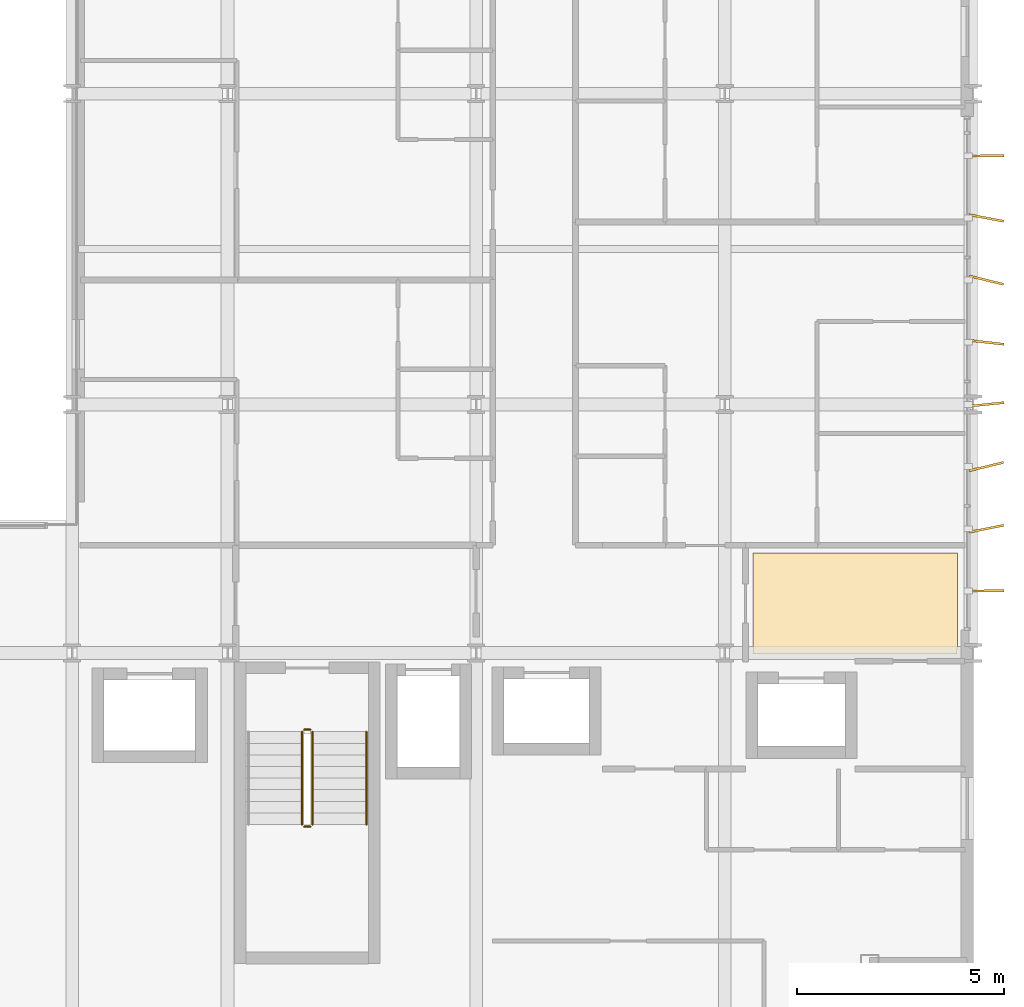
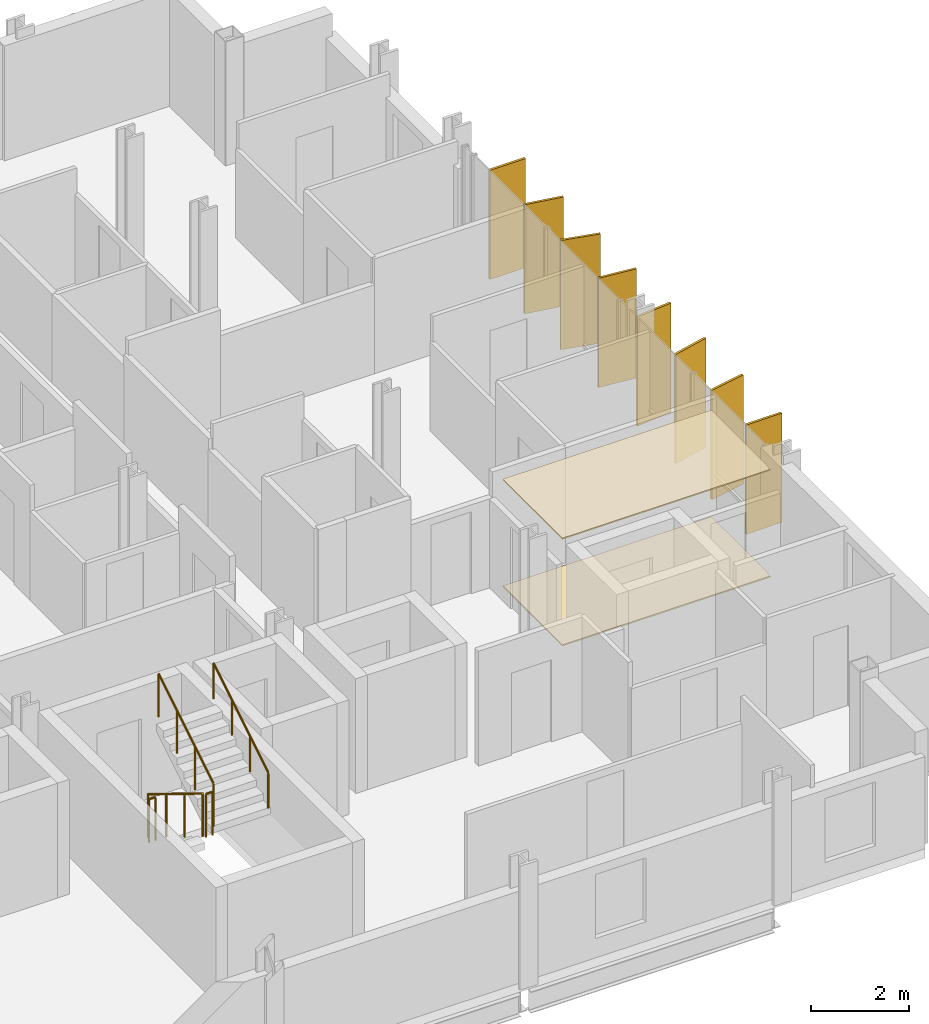
# One storey, part 38 of 39: 8 shading devices, 5 railings, 2 coverings.
"""IFC4 building model written with IfcOpenShell, lengths in metres."""

from ifc_helpers import new_model, si_unit, direction, frame, origin, origin_2d, place, context, subcontext, project, spatial, polyline, rectangle, circle, outline, extrude, material, layer, layer_set, type_object, element, save


model = new_model("IFC4")

# Units and contexts
model_context = context("Model", 3, precision=1e-05, world=origin(), true_north=direction((0.0, 1.0)))
body_context = subcontext(model_context, "Body", "Model", "MODEL_VIEW")
ifc_project = project(units=[si_unit("LENGTHUNIT", "METRE"), si_unit("AREAUNIT", "SQUARE_METRE"), si_unit("VOLUMEUNIT", "CUBIC_METRE"), si_unit("PLANEANGLEUNIT", "RADIAN"), si_unit("MASSUNIT", "GRAM", prefix="KILO")], contexts=[model_context])

# Site, building, storey
site_placement = place(None, origin())
site = spatial("IfcSite", under=ifc_project, at=site_placement, CompositionType="ELEMENT")
building_placement = place(site_placement, origin())
building = spatial("IfcBuilding", under=site, at=building_placement, Name="Brevholm Reach", CompositionType="ELEMENT")
storey_placement = place(building_placement, frame((0.0, 0.0, 90.0)))
storey = spatial("IfcBuildingStorey", under=building, at=storey_placement, Name="L26", CompositionType="ELEMENT", Elevation=90.0)

# Coverings
ifc_material_1 = material(Name="Moisture-Resistant Skimmed Gypsum Plasterboard Ceiling", Category="gypsum")
ifc_layer_1 = layer(ifc_material_1, 0.030029296875)
ifc_layer_set_1 = layer_set([ifc_layer_1], Name="Moisture-Resistant Skimmed Gypsum Plasterboard Ceiling")
covering_type_1 = type_object("IfcCoveringType", Name="COV-CLG-GYP", PredefinedType="CEILING", material=ifc_layer_set_1)
covering_1_placement = place(storey_placement, frame((0.0, 0.0, 2.669921875)))
element("IfcCovering", 1, at=covering_1_placement, inside=storey, type_object=covering_type_1, Name="L26 Suspended Ceiling L26-34", PredefinedType="CEILING", context=body_context, shape_type="SweptSolid", body=[
    extrude(outline(polyline([(59.6201171875, 12.419921875), (59.6201171875, 10.123779296875), (59.6171875, 10.1162109375), (59.607666015625, 10.077880859375), (59.601806640625, 10.039306640625), (59.60009765625, 10.0), (59.60107421875, 9.97998046875), (54.68408203125, 9.97998046875), (54.68408203125, 12.419921875), (59.6201171875, 12.419921875)])), origin(), (0.0, 0.0, 1.0), 0.030029296875),
])
ifc_material_2 = material(Name="Honed Portland-Aggregate Resin Terrazzo Flooring", Category="concrete")
ifc_layer_2 = layer(ifc_material_2, 0.031982421875)
ifc_layer_set_2 = layer_set([ifc_layer_2], Name="Honed Portland-Aggregate Resin Terrazzo Flooring")
covering_type_2 = type_object("IfcCoveringType", Name="COV-FLR-TRZ", PredefinedType="FLOORING", material=ifc_layer_set_2)
covering_2_placement = place(storey_placement, origin())
element("IfcCovering", 2, at=covering_2_placement, inside=storey, type_object=covering_type_2, Name="L26 Floor Finish L26-34", PredefinedType="FLOORING", context=body_context, shape_type="SweptSolid", body=[
    extrude(outline(polyline([(59.6201171875, 12.419921875), (59.6201171875, 10.123779296875), (59.6171875, 10.1162109375), (59.607666015625, 10.077880859375), (59.601806640625, 10.039306640625), (59.60009765625, 10.0), (59.60107421875, 9.97998046875), (54.68408203125, 9.97998046875), (54.68408203125, 12.419921875), (59.6201171875, 12.419921875)])), origin(), (0.0, 0.0, 1.0), 0.031982421875),
])

# Railings
ifc_material_3 = material(Name="Brushed Stainless Steel EN 1.4401 Continuous Handrail", Category="steel")
railing_type_1 = type_object("IfcRailingType", Name="RAL-HND-950", PredefinedType="HANDRAIL", material=ifc_material_3)
railing_1_placement = place(storey_placement, frame((45.35009765625, 5.860107421875, 1.72216796875)))
element("IfcRailing", 3, at=railing_1_placement, inside=storey, type_object=railing_type_1, Name="L26 ST-2 stair handrail 2", PredefinedType="HANDRAIL", context=body_context, shape_type="SweptSolid", body=[
    extrude(circle(Radius=0.02392578125, at=origin_2d()), frame((0.0, 0.0, 0.8857421875), z_axis=(0.0, 0.851747552033, 0.523952390591), x_axis=(-1.0, 0.0, 0.0)), (0.0, 0.0, 1.0), 2.6298828125),
    extrude(circle(Radius=0.02099609375, at=origin_2d()), origin(), (0.0, 0.0, 1.0), 0.86181640625),
    extrude(circle(Radius=0.02099609375, at=origin_2d()), frame((0.0, 0.74658203125, 0.459228515625)), (0.0, 0.0, 1.0), 0.86181640625),
    extrude(circle(Radius=0.02099609375, at=origin_2d()), frame((0.0, 1.493408203125, 0.918701171875)), (0.0, 0.0, 1.0), 0.86181640625),
    extrude(circle(Radius=0.02099609375, at=origin_2d()), frame((0.0, 2.239990234375, 1.3779296875)), (0.0, 0.0, 1.0), 0.86181640625),
])
ifc_material_4 = material(Name="Painted Tubular Galvanised Steel S275JR Stair Guard", Category="steel")
railing_type_2 = type_object("IfcRailingType", Name="RAL-STG-1120", PredefinedType="BALUSTRADE", material=ifc_material_4)
railing_2_placement = place(storey_placement, frame((43.800048828125, 8.10009765625, 0.172119140625)))
element("IfcRailing", 4, at=railing_2_placement, inside=storey, type_object=railing_type_2, Name="L26 ST-2 stair guard 1", PredefinedType="BALUSTRADE", context=body_context, shape_type="SweptSolid", body=[
    extrude(circle(Radius=0.02392578125, at=origin_2d()), frame((0.0, 0.0, 1.076171875), z_axis=(0.0, -0.851747552033, 0.523952390591), x_axis=(1.0, 0.0, 0.0)), (0.0, 0.0, 1.0), 2.6298828125),
    extrude(circle(Radius=0.02099609375, at=origin_2d()), origin(), (0.0, 0.0, 1.0), 1.052001953125),
    extrude(circle(Radius=0.02099609375, at=origin_2d()), frame((0.0, -0.74658203125, 0.459228515625)), (0.0, 0.0, 1.0), 1.052001953125),
    extrude(circle(Radius=0.02099609375, at=origin_2d()), frame((0.0, -1.493408203125, 0.918701171875)), (0.0, 0.0, 1.0), 1.052001953125),
    extrude(circle(Radius=0.02099609375, at=origin_2d()), frame((0.0, -2.239990234375, 1.3779296875)), (0.0, 0.0, 1.0), 1.052001953125),
])
railing_3_placement = place(storey_placement, frame((43.85009765625, 5.81005859375, 1.550048828125)))
element("IfcRailing", 5, at=railing_3_placement, inside=storey, type_object=railing_type_2, Name="L26 ST-2 stair guard 2", PredefinedType="BALUSTRADE", context=body_context, shape_type="SweptSolid", body=[
    extrude(circle(Radius=0.02392578125, at=origin_2d()), frame((0.0, 0.0, 1.076171875), z_axis=(1.0, 0.0, 0.0), x_axis=(0.0, 1.0, 0.0)), (0.0, 0.0, 1.0), 0.14990234375),
    extrude(circle(Radius=0.02099609375, at=origin_2d()), origin(), (0.0, 0.0, 1.0), 1.052001953125),
    extrude(circle(Radius=0.02099609375, at=origin_2d()), frame((0.14990234375, 0.0, 0.0)), (0.0, 0.0, 1.0), 1.052001953125),
])
railing_4_placement = place(storey_placement, frame((44.050048828125, 5.860107421875, 1.72216796875)))
element("IfcRailing", 6, at=railing_4_placement, inside=storey, type_object=railing_type_2, Name="L26 ST-2 stair guard 3", PredefinedType="BALUSTRADE", context=body_context, shape_type="SweptSolid", body=[
    extrude(circle(Radius=0.02392578125, at=origin_2d()), frame((0.0, 0.0, 1.076171875), z_axis=(0.0, 0.851747552033, 0.523952390591), x_axis=(-1.0, 0.0, 0.0)), (0.0, 0.0, 1.0), 2.6298828125),
    extrude(circle(Radius=0.02099609375, at=origin_2d()), origin(), (0.0, 0.0, 1.0), 1.052001953125),
    extrude(circle(Radius=0.02099609375, at=origin_2d()), frame((0.0, 0.74658203125, 0.459228515625)), (0.0, 0.0, 1.0), 1.052001953125),
    extrude(circle(Radius=0.02099609375, at=origin_2d()), frame((0.0, 1.493408203125, 0.918701171875)), (0.0, 0.0, 1.0), 1.052001953125),
    extrude(circle(Radius=0.02099609375, at=origin_2d()), frame((0.0, 2.239990234375, 1.3779296875)), (0.0, 0.0, 1.0), 1.052001953125),
])
railing_5_placement = place(storey_placement, frame((43.85009765625, 8.14990234375, 0.0)))
element("IfcRailing", 7, at=railing_5_placement, inside=storey, type_object=railing_type_2, Name="L26 ST-2 stair guard 4", PredefinedType="BALUSTRADE", context=body_context, shape_type="SweptSolid", body=[
    extrude(circle(Radius=0.02392578125, at=origin_2d()), frame((0.0, 0.0, 1.076171875), z_axis=(1.0, 0.0, 0.0), x_axis=(0.0, 1.0, 0.0)), (0.0, 0.0, 1.0), 0.14990234375),
    extrude(circle(Radius=0.02099609375, at=origin_2d()), origin(), (0.0, 0.0, 1.0), 1.052001953125),
    extrude(circle(Radius=0.02099609375, at=origin_2d()), frame((0.14990234375, 0.0, 0.0)), (0.0, 0.0, 1.0), 1.052001953125),
])

# Shading devices
ifc_material_5 = material(Name="Perforated Champagne-Bronze Anodised Aluminium", Category="aluminium")
ifc_layer_3 = layer(ifc_material_5, 0.054931640625)
ifc_layer_set_3 = layer_set([ifc_layer_3], Name="Perforated Champagne-Bronze Anodised Aluminium")
shading_device_type = type_object("IfcShadingDeviceType", Name="SHD-FIN-850", PredefinedType="USERDEFINED", material=ifc_layer_set_3)
for number, where, z_axis, x_axis, name in (
    (8, (60.31494140625, 11.5, 0.070068359375), (0.0, 0.0, 1.0), (0.999981021024, 0.006160973283, 0.0), "L26 Perforated Solar Screen Fin 1"),
    (9, (60.31494140625, 13.0, 0.070068359375), (0.0, 0.0, 1.0), (0.981083760695, 0.193583714453, 0.0), "L26 Perforated Solar Screen Fin 2"),
    (10, (60.31494140625, 14.5, 0.070068359375), (0.0, 0.0, 1.0), (0.972100365577, 0.234565298467, 0.0), "L26 Perforated Solar Screen Fin 3"),
    (11, (60.31494140625, 16.0, 0.070068359375), (0.0, 0.0, 1.0), (0.99496152138, 0.100257523274, 0.0), "L26 Perforated Solar Screen Fin 4"),
    (12, (60.31494140625, 17.5, 0.070068359375), (0.0, 0.0, 1.0), (0.993785416399, -0.111312830132, 0.0), "L26 Perforated Solar Screen Fin 5"),
    (13, (60.31494140625, 19.0, 0.070068359375), (0.0, 0.0, 1.0), (0.971453968796, -0.237228131786, 0.0), "L26 Perforated Solar Screen Fin 6"),
    (14, (60.31494140625, 20.5, 0.070068359375), (0.0, 0.0, 1.0), (0.982541433247, -0.186043897918, 0.0), "L26 Perforated Solar Screen Fin 7"),
    (15, (60.31494140625, 22.0, 0.070068359375), (0.0, 0.0, 1.0), (0.999981021024, 0.006160973283, 0.0), "L26 Perforated Solar Screen Fin 8"),
):
    element("IfcShadingDevice", number, at=place(storey_placement, frame(where, z_axis=z_axis, x_axis=x_axis)), inside=storey, type_object=shading_device_type, Name=name, ObjectType="SCREEN", PredefinedType="USERDEFINED", context=body_context, shape_type="SweptSolid", body=[
        extrude(rectangle(XDim=0.85009765625, YDim=0.054931640625, at=origin_2d()), origin(), (0.0, 0.0, 1.0), 2.72998046875),
    ])

save(model, "model.ifc")
